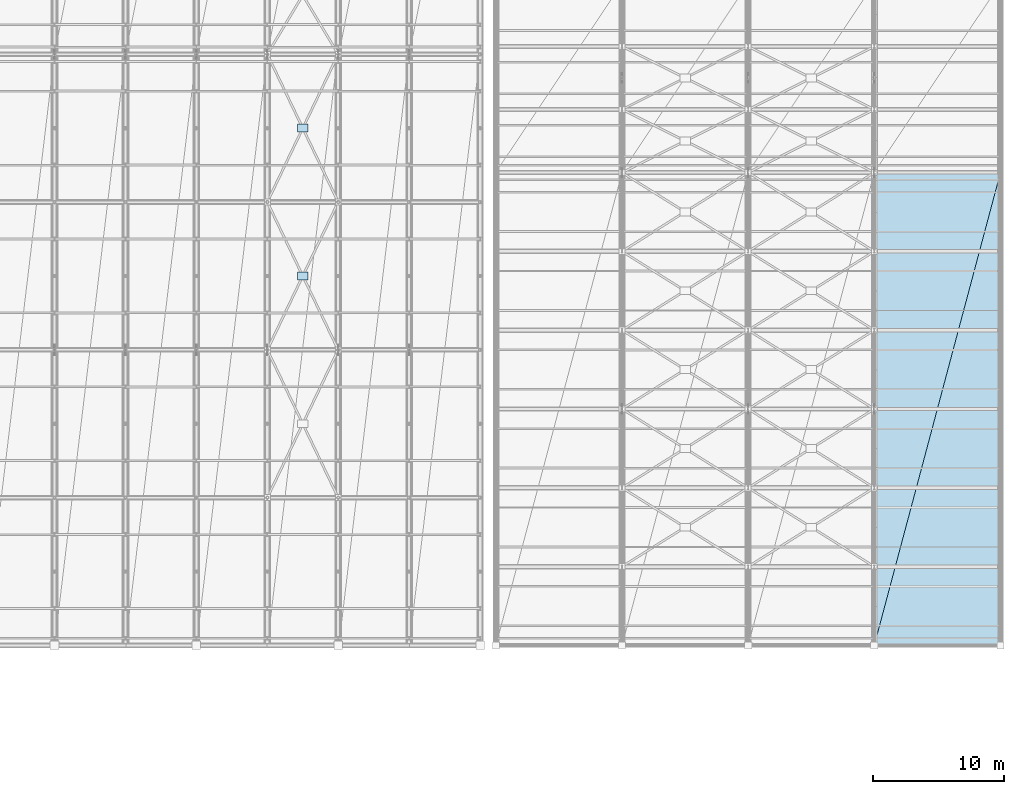
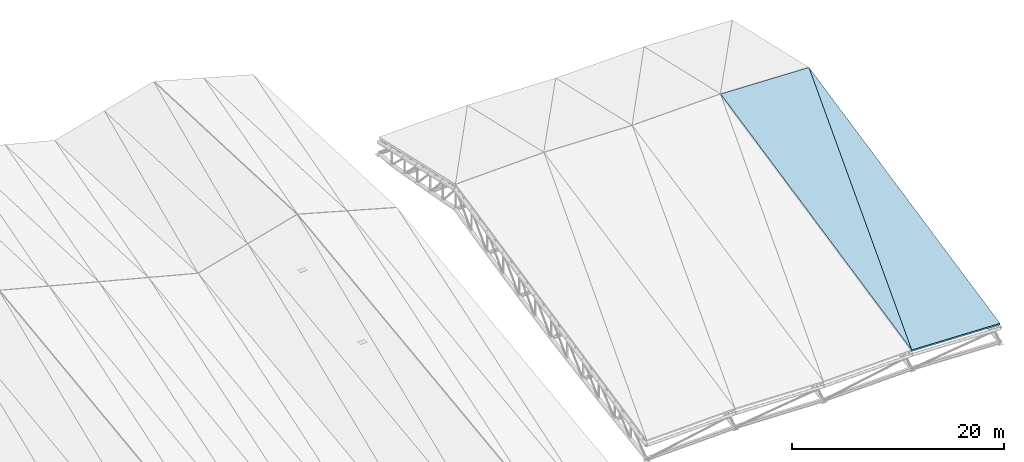
# One storey, part 102 of 109: 2 plates, 2 slabs.
"""IFC4 building model written with IfcOpenShell, lengths in metres."""

from ifc_helpers import new_model, si_unit, direction, frame, origin, origin_2d, place, context, subcontext, project, spatial, polyline, rectangle, outline, extrude, material, layer, layer_set, type_object, element, save


model = new_model("IFC4")

# Units and contexts
model_context = context("Model", 3, precision=1e-05, world=origin(), true_north=direction((0.0, 1.0)))
body_context = subcontext(model_context, "Body", "Model", "MODEL_VIEW")
ifc_project = project(units=[si_unit("LENGTHUNIT", "METRE"), si_unit("AREAUNIT", "SQUARE_METRE"), si_unit("VOLUMEUNIT", "CUBIC_METRE"), si_unit("PLANEANGLEUNIT", "RADIAN"), si_unit("MASSUNIT", "GRAM", prefix="KILO")], contexts=[model_context])

# Site, building, storey
site_placement = place(None, origin())
site = spatial("IfcSite", under=ifc_project, at=site_placement, CompositionType="ELEMENT")
building_placement = place(site_placement, origin())
building = spatial("IfcBuilding", under=site, at=building_placement, Name="Suirenkawa Promenade Aquatics Centre", CompositionType="ELEMENT")
storey_placement = place(building_placement, frame((0.0, 0.0, 22.800048828125)))
storey = spatial("IfcBuildingStorey", under=building, at=storey_placement, Name="ROOF", CompositionType="ELEMENT", Elevation=22.800048828125)

# Plates
ifc_material_1 = material(Name="Steel IS 2062 E350 (Grade 350)", Category="steel")
ifc_layer_1 = layer(ifc_material_1, 0.02392578125, Name="Steel IS 2062 E350 (Grade 350)", Category="steel")
ifc_layer_set_1 = layer_set([ifc_layer_1], Name="Steel IS 2062 E350 (Grade 350)")
plate_type = type_object("IfcPlateType", Name="PLT-GUSSET-800x600x24", PredefinedType="USERDEFINED", material=ifc_layer_set_1)
for number, where, z_axis, x_axis, name in (
    (1, (141.300048828125, 78.52490234375, -9.136962890625), (0.0, 0.0, 1.0), (1.0, 0.0, 0.0), "Truss node plate TN-04 PLG-0119"),
    (2, (141.300048828125, 89.77490234375, -7.68701171875), (0.0, 0.0, 1.0), (1.0, 0.0, 0.0), "Truss node plate TN-04 PLG-0122"),
):
    element("IfcPlate", number, at=place(storey_placement, frame(where, z_axis=z_axis, x_axis=x_axis)), inside=storey, type_object=plate_type, Name=name, ObjectType="GUSSET", PredefinedType="USERDEFINED", context=body_context, shape_type="SweptSolid", body=[
        extrude(rectangle(XDim=0.800048828125, YDim=0.60009765625, at=origin_2d()), origin(), (0.0, 0.0, 1.0), 0.02392578125),
    ])

# Slabs
ifc_material_2 = material(Name="Concrete M35", Category="concrete")
ifc_layer_2 = layer(ifc_material_2, 0.2099609375, Name="Concrete M35", Category="concrete")
ifc_layer_set_2 = layer_set([ifc_layer_2], Name="Concrete M35")
slab_type = type_object("IfcSlabType", Name="SLT-ROOF-V2-210", PredefinedType="ROOF", material=ifc_layer_set_2)
slab_1_placement = place(storey_placement, frame((184.800048828125, 50.39990234375, -8.199951171875), z_axis=(0.030566453428, -0.206578726814, 0.977952412724), x_axis=(0.999511902476, 0.0, -0.031240307422)))
element("IfcSlab", 3, at=slab_1_placement, inside=storey, type_object=slab_type, Name="Folded roof facet SL-ROOF-02 SL-V2-RFS-04-1", PredefinedType="ROOF", context=body_context, shape_type="SweptSolid", body=[
    extrude(outline(polyline([(0.0, 0.0), (9.604541468530233, 0.0), (9.367119708339333, 36.7711824111541), (0.0, 0.0)])), origin(), (0.0, 0.0, -1.0), 0.219970703125),
])
slab_2_placement = place(storey_placement, frame((184.800048828125, 50.39990234375, -8.199951171875), z_axis=(0.030566453428, -0.206578726814, 0.977952412724), x_axis=(0.252990406174, 0.94814944168, 0.192375909682)))
element("IfcSlab", 4, at=slab_2_placement, inside=storey, type_object=slab_type, Name="Folded roof facet SL-ROOF-02 SL-V2-RFS-04-2", PredefinedType="ROOF", context=body_context, shape_type="SweptSolid", body=[
    extrude(outline(polyline([(0.0, 0.0), (37.94552394610895, 0.0), (35.574575272236245, 9.307299243420625), (0.0, 0.0)])), origin(), (0.0, 0.0, -1.0), 0.219970703125),
])

save(model, "model.ifc")
